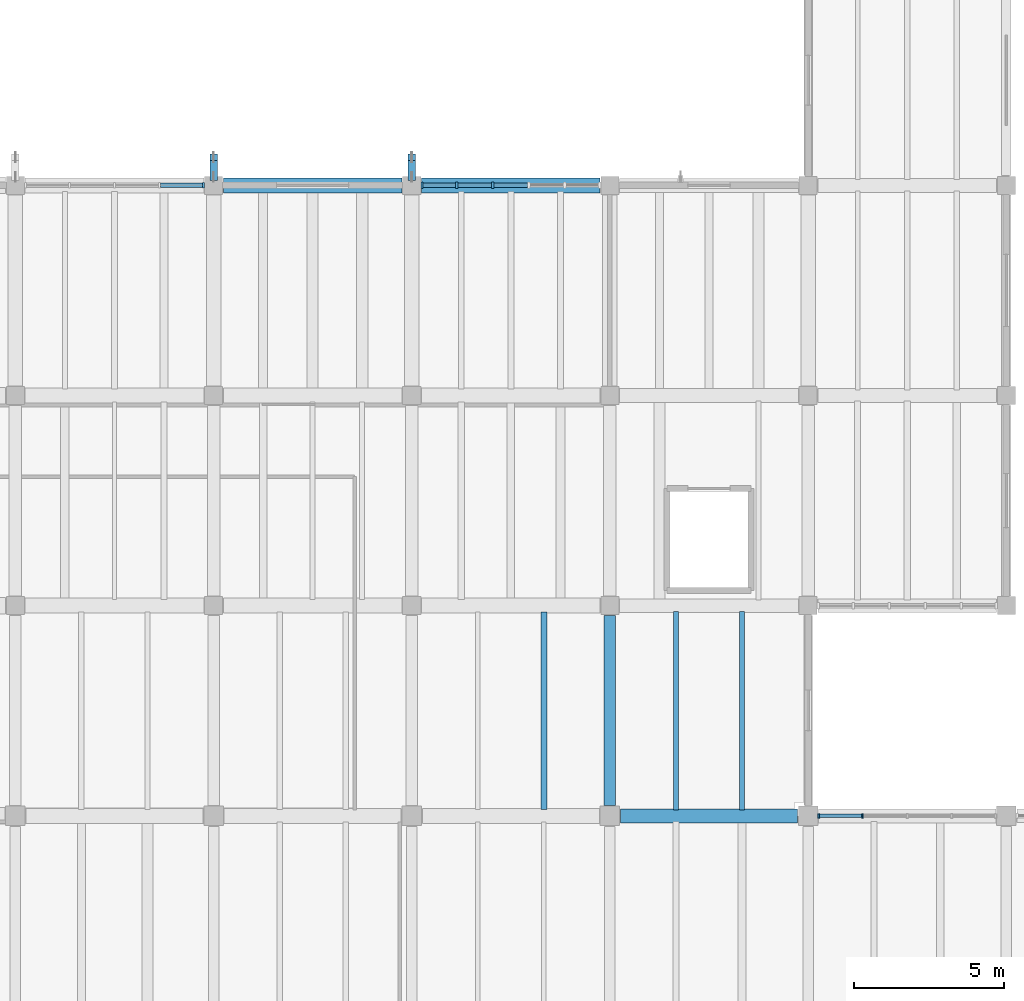
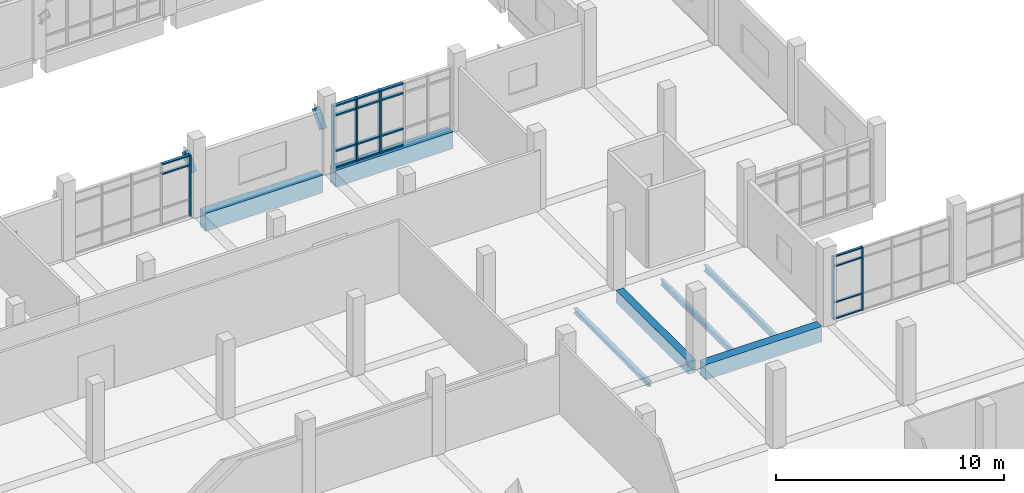
# One storey, part 19 of 68: 26 members, 7 beams, 3 elements without a shape of their own.
"""IFC4 building model written with IfcOpenShell, lengths in metres."""

from ifc_helpers import new_model, si_unit, direction, frame, origin, origin_2d, place, context, subcontext, project, spatial, rectangle, i_section, extrude, material, material_profile, profile_set, type_object, element, aggregate, save


model = new_model("IFC4")

# Units and contexts
model_context = context("Model", 3, precision=1e-05, world=origin(), true_north=direction((0.0, 1.0)))
body_context = subcontext(model_context, "Body", "Model", "MODEL_VIEW")
ifc_project = project(units=[si_unit("LENGTHUNIT", "METRE"), si_unit("AREAUNIT", "SQUARE_METRE"), si_unit("VOLUMEUNIT", "CUBIC_METRE"), si_unit("PLANEANGLEUNIT", "RADIAN"), si_unit("MASSUNIT", "GRAM", prefix="KILO")], contexts=[model_context])

# Site, building, storey
site_placement = place(None, origin())
site = spatial("IfcSite", under=ifc_project, at=site_placement, CompositionType="ELEMENT")
building_placement = place(site_placement, origin())
building = spatial("IfcBuilding", under=site, at=building_placement, Name="Ciguamira Faculty of Natural Sciences", CompositionType="ELEMENT")
storey_placement = place(building_placement, frame((0.0, 0.0, 4.199951171875)))
storey = spatial("IfcBuildingStorey", under=building, at=storey_placement, Name="L01", CompositionType="ELEMENT", Elevation=4.199951171875)

# Curtain wall, members
ifc_material_1 = material(Name="Anodized aluminium curtain wall", Category="aluminium")
curtain_wall_type_1 = type_object("IfcCurtainWallType", Name="CurtainWall_CW-10", PredefinedType="USERDEFINED", material=ifc_material_1)
curtain_wall_1_placement = place(storey_placement, origin())
curtain_wall_1 = element("IfcCurtainWall", 1, at=curtain_wall_1_placement, inside=storey, type_object=curtain_wall_type_1, Name="L01 unitised curtain wall 0034", ObjectType="UNITISED CURTAIN WALL", PredefinedType="USERDEFINED")
ifc_material_2 = material(Name="Anodized aluminium mullion", Category="aluminium")
ifc_material_profile_1 = material_profile(ifc_material_2, rectangle(XDim=0.06005859375, YDim=0.159912109375, at=origin_2d()), Name="ALU-MUL-60X160")
ifc_profile_set_1 = profile_set([ifc_material_profile_1], Name="Anodized aluminium mullion")
member_type_1 = type_object("IfcMemberType", Name="CWMullion_CWM-01", PredefinedType="MULLION", material=ifc_profile_set_1)
member_1_placement = place(storey_placement, frame((110.455078125, 38.0, 0.0), z_axis=(0.0, 0.0, 1.0), x_axis=(1.0, 0.0, 0.0)))
member_1 = element("IfcMember", 2, at=member_1_placement, type_object=member_type_1, Name="CW-10 mullion 1", PredefinedType="MULLION", context=body_context, shape_type="SweptSolid", body=[
    extrude(rectangle(XDim=0.06005859375, YDim=0.159912109375, at=origin_2d()), origin(), (0.0, 0.0, 1.0), 3.385009765625),
])
member_2_placement = place(storey_placement, frame((111.91259765625, 38.0, 0.0), z_axis=(0.0, 0.0, 1.0), x_axis=(1.0, 0.0, 0.0)))
member_2 = element("IfcMember", 3, at=member_2_placement, type_object=member_type_1, Name="CW-10 mullion 2", PredefinedType="MULLION", context=body_context, shape_type="SweptSolid", body=[
    extrude(rectangle(XDim=0.06005859375, YDim=0.159912109375, at=origin_2d()), origin(), (0.0, 0.0, 1.0), 3.385009765625),
])

# Curtain wall, member
curtain_wall_type_2 = type_object("IfcCurtainWallType", Name="CurtainWall_CW-02", PredefinedType="USERDEFINED", material=ifc_material_1)
curtain_wall_2_placement = place(storey_placement, origin())
curtain_wall_2 = element("IfcCurtainWall", 4, at=curtain_wall_2_placement, inside=storey, type_object=curtain_wall_type_2, Name="L01 unitised curtain wall 0038", ObjectType="UNITISED CURTAIN WALL", PredefinedType="USERDEFINED")
ifc_material_profile_2 = material_profile(ifc_material_2, rectangle(XDim=0.070068359375, YDim=0.179931640625, at=origin_2d()), Name="ALU-MUL-70X180")
ifc_profile_set_2 = profile_set([ifc_material_profile_2], Name="Anodized aluminium mullion")
member_type_2 = type_object("IfcMemberType", Name="CWMullion_CWM-02", PredefinedType="MULLION", material=ifc_profile_set_2)
member_3_placement = place(storey_placement, frame((89.965087890625, 59.0, 0.0), z_axis=(0.0, 0.0, 1.0), x_axis=(1.0, 0.0, 0.0)))
member_3 = element("IfcMember", 5, at=member_3_placement, type_object=member_type_2, Name="CW-02 mullion 5", PredefinedType="MULLION", context=body_context, shape_type="SweptSolid", body=[
    extrude(rectangle(XDim=0.070068359375, YDim=0.179931640625, at=origin_2d()), origin(), (0.0, 0.0, 1.0), 3.28515625),
])

# Curtain wall, members
curtain_wall_type_3 = type_object("IfcCurtainWallType", Name="CurtainWall_CW-03", PredefinedType="USERDEFINED", material=ifc_material_1)
curtain_wall_3_placement = place(storey_placement, origin())
curtain_wall_3 = element("IfcCurtainWall", 6, at=curtain_wall_3_placement, inside=storey, type_object=curtain_wall_type_3, Name="L01 unitised curtain wall 0039", ObjectType="UNITISED CURTAIN WALL", PredefinedType="USERDEFINED")
ifc_material_profile_3 = material_profile(ifc_material_2, rectangle(XDim=0.080078125, YDim=0.219970703125, at=origin_2d()), Name="ALU-MUL-80X220")
ifc_profile_set_3 = profile_set([ifc_material_profile_3], Name="Anodized aluminium mullion")
member_type_3 = type_object("IfcMemberType", Name="CWMullion_CWM-03", PredefinedType="MULLION", material=ifc_profile_set_3)
member_4_placement = place(storey_placement, frame((97.239990234375, 59.0, 0.0), z_axis=(0.0, 0.0, 1.0), x_axis=(1.0, 0.0, 0.0)))
member_4 = element("IfcMember", 7, at=member_4_placement, type_object=member_type_3, Name="CW-03 mullion 1", PredefinedType="MULLION", context=body_context, shape_type="SweptSolid", body=[
    extrude(rectangle(XDim=0.080078125, YDim=0.219970703125, at=origin_2d()), origin(), (0.0, 0.0, 1.0), 3.364990234375),
])
member_5_placement = place(storey_placement, frame((98.39990234375, 59.0, 0.0), z_axis=(0.0, 0.0, 1.0), x_axis=(1.0, 0.0, 0.0)))
member_5 = element("IfcMember", 8, at=member_5_placement, type_object=member_type_3, Name="CW-03 mullion 2", PredefinedType="MULLION", context=body_context, shape_type="SweptSolid", body=[
    extrude(rectangle(XDim=0.080078125, YDim=0.219970703125, at=origin_2d()), origin(), (0.0, 0.0, 1.0), 3.364990234375),
])
member_6_placement = place(storey_placement, frame((99.60009765625, 59.0, 0.0), z_axis=(0.0, 0.0, 1.0), x_axis=(1.0, 0.0, 0.0)))
member_6 = element("IfcMember", 9, at=member_6_placement, type_object=member_type_3, Name="CW-03 mullion 3", PredefinedType="MULLION", context=body_context, shape_type="SweptSolid", body=[
    extrude(rectangle(XDim=0.080078125, YDim=0.219970703125, at=origin_2d()), origin(), (0.0, 0.0, 1.0), 3.364990234375),
])

# Member
ifc_material_3 = material(Name="Anodized aluminium transom", Category="aluminium")
ifc_material_profile_4 = material_profile(ifc_material_3, rectangle(XDim=0.06005859375, YDim=0.1201171875, at=origin_2d()), Name="ALU-TRN-60X120")
ifc_profile_set_4 = profile_set([ifc_material_profile_4], Name="Anodized aluminium transom")
member_type_4 = type_object("IfcMemberType", Name="CWTransom_CWT-01", PredefinedType="USERDEFINED", material=ifc_profile_set_4)
member_7_placement = place(storey_placement, frame((110.485107421875, 38.0, 0.030029296875), z_axis=(1.0, 0.0, 0.0), x_axis=(0.0, 0.0, 1.0)))
member_7 = element("IfcMember", 10, at=member_7_placement, type_object=member_type_4, Name="CW-10 transom 1.1", ObjectType="TRANSOM", PredefinedType="USERDEFINED", context=body_context, shape_type="SweptSolid", body=[
    extrude(rectangle(XDim=0.06005859375, YDim=0.1201171875, at=origin_2d()), origin(), (0.0, 0.0, 1.0), 1.3974609375),
])

member_8_placement = place(storey_placement, frame((110.485107421875, 38.0, 0.900146484375), z_axis=(1.0, 0.0, 0.0), x_axis=(0.0, 0.0, 1.0)))
member_8 = element("IfcMember", 11, at=member_8_placement, type_object=member_type_4, Name="CW-10 transom 1.2", ObjectType="TRANSOM", PredefinedType="USERDEFINED", context=body_context, shape_type="SweptSolid", body=[
    extrude(rectangle(XDim=0.06005859375, YDim=0.1201171875, at=origin_2d()), origin(), (0.0, 0.0, 1.0), 1.3974609375),
])

member_9_placement = place(storey_placement, frame((110.485107421875, 38.0, 2.8349609375), z_axis=(1.0, 0.0, 0.0), x_axis=(0.0, 0.0, 1.0)))
member_9 = element("IfcMember", 12, at=member_9_placement, type_object=member_type_4, Name="CW-10 transom 1.3", ObjectType="TRANSOM", PredefinedType="USERDEFINED", context=body_context, shape_type="SweptSolid", body=[
    extrude(rectangle(XDim=0.06005859375, YDim=0.1201171875, at=origin_2d()), origin(), (0.0, 0.0, 1.0), 1.3974609375),
])

member_10_placement = place(storey_placement, frame((110.485107421875, 38.0, 3.35498046875), z_axis=(1.0, 0.0, 0.0), x_axis=(0.0, 0.0, 1.0)))
member_10 = element("IfcMember", 13, at=member_10_placement, type_object=member_type_4, Name="CW-10 transom 1.4", ObjectType="TRANSOM", PredefinedType="USERDEFINED", context=body_context, shape_type="SweptSolid", body=[
    extrude(rectangle(XDim=0.06005859375, YDim=0.1201171875, at=origin_2d()), origin(), (0.0, 0.0, 1.0), 1.3974609375),
])

aggregate(curtain_wall_1, [member_1, member_2, member_7, member_8, member_9, member_10])

ifc_material_profile_5 = material_profile(ifc_material_3, rectangle(XDim=0.070068359375, YDim=0.139892578125, at=origin_2d()), Name="ALU-TRN-70X140")
ifc_profile_set_5 = profile_set([ifc_material_profile_5], Name="Anodized aluminium transom")
member_type_5 = type_object("IfcMemberType", Name="CWTransom_CWT-02", PredefinedType="USERDEFINED", material=ifc_profile_set_5)
member_11_placement = place(storey_placement, frame((88.534912109375, 59.0, 2.735107421875), z_axis=(1.0, 0.0, 0.0), x_axis=(0.0, 0.0, 1.0)))
member_11 = element("IfcMember", 14, at=member_11_placement, type_object=member_type_5, Name="CW-02 transom 4.3", ObjectType="TRANSOM", PredefinedType="USERDEFINED", context=body_context, shape_type="SweptSolid", body=[
    extrude(rectangle(XDim=0.070068359375, YDim=0.139892578125, at=origin_2d()), origin(), (0.0, 0.0, 1.0), 1.39501953125),
])

member_12_placement = place(storey_placement, frame((88.534912109375, 59.0, 3.25), z_axis=(1.0, 0.0, 0.0), x_axis=(0.0, 0.0, 1.0)))
member_12 = element("IfcMember", 15, at=member_12_placement, type_object=member_type_5, Name="CW-02 transom 4.4", ObjectType="TRANSOM", PredefinedType="USERDEFINED", context=body_context, shape_type="SweptSolid", body=[
    extrude(rectangle(XDim=0.070068359375, YDim=0.139892578125, at=origin_2d()), origin(), (0.0, 0.0, 1.0), 1.39501953125),
])

aggregate(curtain_wall_2, [member_3, member_11, member_12])

ifc_material_profile_6 = material_profile(ifc_material_3, rectangle(XDim=0.080078125, YDim=0.159912109375, at=origin_2d()), Name="ALU-TRN-80X160")
ifc_profile_set_6 = profile_set([ifc_material_profile_6], Name="Anodized aluminium transom")
member_type_6 = type_object("IfcMemberType", Name="CWTransom_CWT-03", PredefinedType="USERDEFINED", material=ifc_profile_set_6)
member_13_placement = place(storey_placement, frame((97.280029296875, 59.0, 0.0400390625), z_axis=(1.0, 0.0, 0.0), x_axis=(0.0, 0.0, 1.0)))
member_13 = element("IfcMember", 16, at=member_13_placement, type_object=member_type_6, Name="CW-03 transom 1.1", ObjectType="TRANSOM", PredefinedType="USERDEFINED", context=body_context, shape_type="SweptSolid", body=[
    extrude(rectangle(XDim=0.080078125, YDim=0.159912109375, at=origin_2d()), origin(), (0.0, 0.0, 1.0), 1.080078125),
])

member_14_placement = place(storey_placement, frame((97.280029296875, 59.0, 0.900146484375), z_axis=(1.0, 0.0, 0.0), x_axis=(0.0, 0.0, 1.0)))
member_14 = element("IfcMember", 17, at=member_14_placement, type_object=member_type_6, Name="CW-03 transom 1.2", ObjectType="TRANSOM", PredefinedType="USERDEFINED", context=body_context, shape_type="SweptSolid", body=[
    extrude(rectangle(XDim=0.080078125, YDim=0.159912109375, at=origin_2d()), origin(), (0.0, 0.0, 1.0), 1.080078125),
])

member_15_placement = place(storey_placement, frame((97.280029296875, 59.0, 2.81494140625), z_axis=(1.0, 0.0, 0.0), x_axis=(0.0, 0.0, 1.0)))
member_15 = element("IfcMember", 18, at=member_15_placement, type_object=member_type_6, Name="CW-03 transom 1.3", ObjectType="TRANSOM", PredefinedType="USERDEFINED", context=body_context, shape_type="SweptSolid", body=[
    extrude(rectangle(XDim=0.080078125, YDim=0.159912109375, at=origin_2d()), origin(), (0.0, 0.0, 1.0), 1.080078125),
])

member_16_placement = place(storey_placement, frame((97.280029296875, 59.0, 3.324951171875), z_axis=(1.0, 0.0, 0.0), x_axis=(0.0, 0.0, 1.0)))
member_16 = element("IfcMember", 19, at=member_16_placement, type_object=member_type_6, Name="CW-03 transom 1.4", ObjectType="TRANSOM", PredefinedType="USERDEFINED", context=body_context, shape_type="SweptSolid", body=[
    extrude(rectangle(XDim=0.080078125, YDim=0.159912109375, at=origin_2d()), origin(), (0.0, 0.0, 1.0), 1.080078125),
])

member_17_placement = place(storey_placement, frame((98.43994140625, 59.0, 0.0400390625), z_axis=(1.0, 0.0, 0.0), x_axis=(0.0, 0.0, 1.0)))
member_17 = element("IfcMember", 20, at=member_17_placement, type_object=member_type_6, Name="CW-03 transom 2.1", ObjectType="TRANSOM", PredefinedType="USERDEFINED", context=body_context, shape_type="SweptSolid", body=[
    extrude(rectangle(XDim=0.080078125, YDim=0.159912109375, at=origin_2d()), origin(), (0.0, 0.0, 1.0), 1.1201171875),
])

member_18_placement = place(storey_placement, frame((98.43994140625, 59.0, 0.900146484375), z_axis=(1.0, 0.0, 0.0), x_axis=(0.0, 0.0, 1.0)))
member_18 = element("IfcMember", 21, at=member_18_placement, type_object=member_type_6, Name="CW-03 transom 2.2", ObjectType="TRANSOM", PredefinedType="USERDEFINED", context=body_context, shape_type="SweptSolid", body=[
    extrude(rectangle(XDim=0.080078125, YDim=0.159912109375, at=origin_2d()), origin(), (0.0, 0.0, 1.0), 1.1201171875),
])

member_19_placement = place(storey_placement, frame((98.43994140625, 59.0, 2.81494140625), z_axis=(1.0, 0.0, 0.0), x_axis=(0.0, 0.0, 1.0)))
member_19 = element("IfcMember", 22, at=member_19_placement, type_object=member_type_6, Name="CW-03 transom 2.3", ObjectType="TRANSOM", PredefinedType="USERDEFINED", context=body_context, shape_type="SweptSolid", body=[
    extrude(rectangle(XDim=0.080078125, YDim=0.159912109375, at=origin_2d()), origin(), (0.0, 0.0, 1.0), 1.1201171875),
])

member_20_placement = place(storey_placement, frame((98.43994140625, 59.0, 3.324951171875), z_axis=(1.0, 0.0, 0.0), x_axis=(0.0, 0.0, 1.0)))
member_20 = element("IfcMember", 23, at=member_20_placement, type_object=member_type_6, Name="CW-03 transom 2.4", ObjectType="TRANSOM", PredefinedType="USERDEFINED", context=body_context, shape_type="SweptSolid", body=[
    extrude(rectangle(XDim=0.080078125, YDim=0.159912109375, at=origin_2d()), origin(), (0.0, 0.0, 1.0), 1.1201171875),
])

member_21_placement = place(storey_placement, frame((99.639892578125, 59.0, 0.0400390625), z_axis=(1.0, 0.0, 0.0), x_axis=(0.0, 0.0, 1.0)))
member_21 = element("IfcMember", 24, at=member_21_placement, type_object=member_type_6, Name="CW-03 transom 3.1", ObjectType="TRANSOM", PredefinedType="USERDEFINED", context=body_context, shape_type="SweptSolid", body=[
    extrude(rectangle(XDim=0.080078125, YDim=0.159912109375, at=origin_2d()), origin(), (0.0, 0.0, 1.0), 1.1201171875),
])

member_22_placement = place(storey_placement, frame((99.639892578125, 59.0, 0.900146484375), z_axis=(1.0, 0.0, 0.0), x_axis=(0.0, 0.0, 1.0)))
member_22 = element("IfcMember", 25, at=member_22_placement, type_object=member_type_6, Name="CW-03 transom 3.2", ObjectType="TRANSOM", PredefinedType="USERDEFINED", context=body_context, shape_type="SweptSolid", body=[
    extrude(rectangle(XDim=0.080078125, YDim=0.159912109375, at=origin_2d()), origin(), (0.0, 0.0, 1.0), 1.1201171875),
])

member_23_placement = place(storey_placement, frame((99.639892578125, 59.0, 2.81494140625), z_axis=(1.0, 0.0, 0.0), x_axis=(0.0, 0.0, 1.0)))
member_23 = element("IfcMember", 26, at=member_23_placement, type_object=member_type_6, Name="CW-03 transom 3.3", ObjectType="TRANSOM", PredefinedType="USERDEFINED", context=body_context, shape_type="SweptSolid", body=[
    extrude(rectangle(XDim=0.080078125, YDim=0.159912109375, at=origin_2d()), origin(), (0.0, 0.0, 1.0), 1.1201171875),
])

member_24_placement = place(storey_placement, frame((99.639892578125, 59.0, 3.324951171875), z_axis=(1.0, 0.0, 0.0), x_axis=(0.0, 0.0, 1.0)))
member_24 = element("IfcMember", 27, at=member_24_placement, type_object=member_type_6, Name="CW-03 transom 3.4", ObjectType="TRANSOM", PredefinedType="USERDEFINED", context=body_context, shape_type="SweptSolid", body=[
    extrude(rectangle(XDim=0.080078125, YDim=0.159912109375, at=origin_2d()), origin(), (0.0, 0.0, 1.0), 1.1201171875),
])

aggregate(curtain_wall_3, [member_4, member_5, member_6, member_13, member_14, member_15, member_16, member_17, member_18, member_19, member_20, member_21, member_22, member_23, member_24])

# Beams
ifc_material_4 = material(Name="Concrete C40/50", Category="concrete")
ifc_material_profile_7 = material_profile(ifc_material_4, rectangle(XDim=0.5, YDim=0.949951171875, at=origin_2d()), Name="RC-BM-500X950")
ifc_profile_set_7 = profile_set([ifc_material_profile_7], Name="Concrete C40/50")
beam_type_1 = type_object("IfcBeamType", Name="RCBeam_BG-02_RC-BM-500X950", PredefinedType="BEAM", material=ifc_profile_set_7)
beam_1_placement = place(storey_placement, frame((90.625, 59.0, -0.474853515625), z_axis=(1.0, 0.0, 0.0), x_axis=(0.0, 1.0, 0.0)))
element("IfcBeam", 28, at=beam_1_placement, inside=storey, type_object=beam_type_1, Name="L01 RC girder EW-0480", PredefinedType="BEAM", context=body_context, shape_type="SweptSolid", body=[
    extrude(rectangle(XDim=0.5, YDim=0.949951171875, at=origin_2d()), origin(), (0.0, 0.0, 1.0), 5.949951171875),
])
ifc_material_profile_8 = material_profile(ifc_material_4, rectangle(XDim=0.5, YDim=0.89990234375, at=origin_2d()), Name="RC-BM-500X900")
ifc_profile_set_8 = profile_set([ifc_material_profile_8], Name="Concrete C40/50")
beam_type_2 = type_object("IfcBeamType", Name="RCBeam_BG-03_RC-BM-500X900", PredefinedType="BEAM", material=ifc_profile_set_8)
beam_2_placement = place(storey_placement, frame((97.22509765625, 59.0, -0.449951171875), z_axis=(1.0, 0.0, 0.0), x_axis=(0.0, 1.0, 0.0)))
element("IfcBeam", 29, at=beam_2_placement, inside=storey, type_object=beam_type_2, Name="L01 RC girder EW-0481", PredefinedType="BEAM", context=body_context, shape_type="SweptSolid", body=[
    extrude(rectangle(XDim=0.5, YDim=0.89990234375, at=origin_2d()), origin(), (0.0, 0.0, 1.0), 5.949951171875),
])
ifc_material_profile_9 = material_profile(ifc_material_4, rectangle(XDim=0.4599609375, YDim=0.820068359375, at=origin_2d()), Name="RC-BM-460X820")
ifc_profile_set_9 = profile_set([ifc_material_profile_9], Name="Concrete C40/50")
beam_type_3 = type_object("IfcBeamType", Name="RCBeam_BG-04_RC-BM-460X820", PredefinedType="BEAM", material=ifc_profile_set_9)
beam_3_placement = place(storey_placement, frame((103.85009765625, 38.0, -0.409912109375), z_axis=(1.0, 0.0, 0.0), x_axis=(0.0, 1.0, 0.0)))
element("IfcBeam", 30, at=beam_3_placement, inside=storey, type_object=beam_type_3, Name="L01 RC girder EW-0454", PredefinedType="BEAM", context=body_context, shape_type="SweptSolid", body=[
    extrude(rectangle(XDim=0.4599609375, YDim=0.820068359375, at=origin_2d()), origin(), (0.0, 0.0, 1.0), 5.89990234375),
])
ifc_material_profile_10 = material_profile(ifc_material_4, rectangle(XDim=0.3798828125, YDim=0.679931640625, at=origin_2d()), Name="RC-BM-380X680")
ifc_profile_set_10 = profile_set([ifc_material_profile_10], Name="Concrete C40/50")
beam_type_4 = type_object("IfcBeamType", Name="RCBeam_BG-09_RC-BM-380X680", PredefinedType="BEAM", material=ifc_profile_set_10)
beam_4_placement = place(storey_placement, frame((103.5, 38.35009765625, -0.33984375), z_axis=(0.0, 1.0, 0.0), x_axis=(-1.0, 0.0, 0.0)))
element("IfcBeam", 31, at=beam_4_placement, inside=storey, type_object=beam_type_4, Name="L01 girder NS-0657", PredefinedType="BEAM", context=body_context, shape_type="SweptSolid", body=[
    extrude(rectangle(XDim=0.3798828125, YDim=0.679931640625, at=origin_2d()), origin(), (0.0, 0.0, 1.0), 6.324951171875),
])
ifc_material_5 = material(Name="Steel ASTM A992 Grade 50", Category="steel")
ifc_material_profile_11 = material_profile(ifc_material_5, i_section(OverallWidth=0.2021484375, OverallDepth=0.2470703125, WebThickness=0.00732421875, FlangeThickness=0.010986328125, at=origin_2d()), Name="W10X33")
ifc_profile_set_11 = profile_set([ifc_material_profile_11], Name="Steel ASTM A992 Grade 50")
beam_type_5 = type_object("IfcBeamType", Name="SteelJoist_SJ-02_W10X33", PredefinedType="JOIST", material=ifc_profile_set_11)
beam_5_placement = place(storey_placement, frame((101.300048828125, 38.2099609375, -0.403564453125), z_axis=(0.0, 1.0, 0.0), x_axis=(-1.0, 0.0, 0.0)))
element("IfcBeam", 32, at=beam_5_placement, inside=storey, type_object=beam_type_5, Name="L01 composite steel joist 00550", PredefinedType="JOIST", context=body_context, shape_type="SweptSolid", body=[
    extrude(i_section(OverallWidth=0.2021484375, OverallDepth=0.2470703125, WebThickness=0.00732421875, FlangeThickness=0.010986328125, at=origin_2d()), origin(), (0.0, 0.0, 1.0), 6.580078125),
])
ifc_material_profile_12 = material_profile(ifc_material_5, i_section(OverallWidth=0.164794921875, OverallDepth=0.309814453125, WebThickness=0.005859375, FlangeThickness=0.009765625, at=origin_2d()), Name="W12X26")
ifc_profile_set_12 = profile_set([ifc_material_profile_12], Name="Steel ASTM A992 Grade 50")
beam_type_6 = type_object("IfcBeamType", Name="SteelJoist_SJ-04_W12X26", PredefinedType="JOIST", material=ifc_profile_set_12)
beam_6_placement = place(storey_placement, frame((105.699951171875, 38.18994140625, -0.434814453125), z_axis=(0.0, 1.0, 0.0), x_axis=(-1.0, 0.0, 0.0)))
element("IfcBeam", 33, at=beam_6_placement, inside=storey, type_object=beam_type_6, Name="L01 composite steel joist 00578", PredefinedType="JOIST", context=body_context, shape_type="SweptSolid", body=[
    extrude(i_section(OverallWidth=0.164794921875, OverallDepth=0.309814453125, WebThickness=0.005859375, FlangeThickness=0.009765625, at=origin_2d()), origin(), (0.0, 0.0, 1.0), 6.6201171875),
])
ifc_material_profile_13 = material_profile(ifc_material_5, i_section(OverallWidth=0.16650390625, OverallDepth=0.3173828125, WebThickness=0.007568359375, FlangeThickness=0.01318359375, at=origin_2d()), Name="W12X35")
ifc_profile_set_13 = profile_set([ifc_material_profile_13], Name="Steel ASTM A992 Grade 50")
beam_type_7 = type_object("IfcBeamType", Name="SteelJoist_SJ-05_W12X35", PredefinedType="JOIST", material=ifc_profile_set_13)
beam_7_placement = place(storey_placement, frame((107.89990234375, 38.18994140625, -0.438720703125), z_axis=(0.0, 1.0, 0.0), x_axis=(-1.0, 0.0, 0.0)))
element("IfcBeam", 34, at=beam_7_placement, inside=storey, type_object=beam_type_7, Name="L01 composite steel joist 00579", PredefinedType="JOIST", context=body_context, shape_type="SweptSolid", body=[
    extrude(i_section(OverallWidth=0.16650390625, OverallDepth=0.3173828125, WebThickness=0.007568359375, FlangeThickness=0.01318359375, at=origin_2d()), origin(), (0.0, 0.0, 1.0), 6.6201171875),
])

# Members
ifc_material_profile_14 = material_profile(ifc_material_5, i_section(OverallWidth=0.25390625, OverallDepth=0.307373046875, WebThickness=0.0087890625, FlangeThickness=0.0146484375, at=origin_2d()), Name="W12X53")
ifc_profile_set_14 = profile_set([ifc_material_profile_14], Name="Steel ASTM A992 Grade 50")
member_type_7 = type_object("IfcMemberType", Name="SteelMember_TS-02_W12X53", PredefinedType="STRUT", material=ifc_profile_set_14)
for number, where, z_axis, x_axis, name in (
    (35, (90.300048828125, 59.27490234375, 2.034423828125), (0.0, 0.660716022942, 0.750635955059), (-1.0, 0.0, 0.0), "Link bridge BR-2 s corbel knee strut 1"),
    (36, (96.89990234375, 59.27490234375, 2.034423828125), (0.0, 0.660716022942, 0.750635955059), (-1.0, 0.0, 0.0), "Link bridge BR-2 s corbel knee strut 2"),
):
    element("IfcMember", number, at=place(storey_placement, frame(where, z_axis=z_axis, x_axis=x_axis)), inside=storey, type_object=member_type_7, Name=name, PredefinedType="STRUT", context=body_context, shape_type="SweptSolid", body=[
        extrude(i_section(OverallWidth=0.25390625, OverallDepth=0.307373046875, WebThickness=0.0087890625, FlangeThickness=0.0146484375, at=origin_2d()), origin(), (0.0, 0.0, 1.0), 0.999267578125),
    ])

save(model, "model.ifc")
